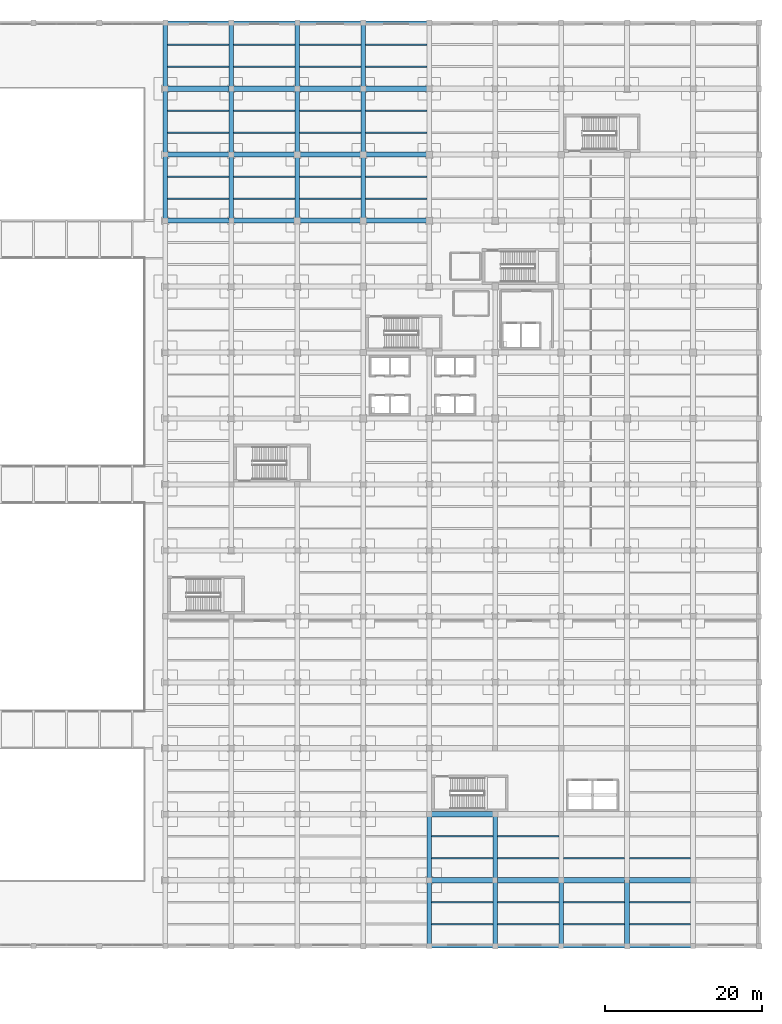
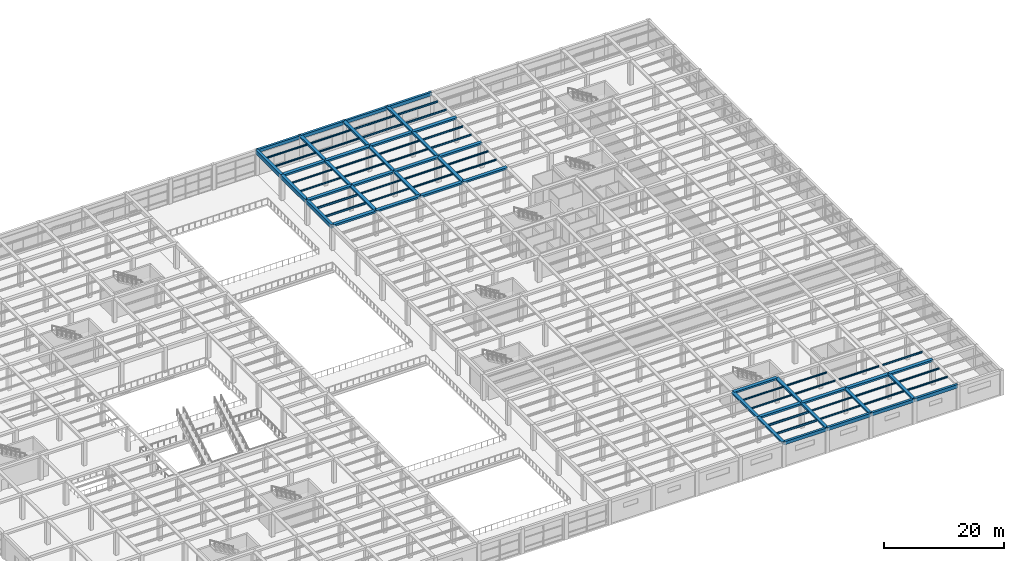
# One storey, part 29 of 65: 81 beams.
"""IFC4 building model written with IfcOpenShell, lengths in metres."""

from ifc_helpers import new_model, si_unit, direction, frame, origin, origin_2d, place, context, subcontext, project, spatial, rectangle, i_section, extrude, material, material_profile, profile_set, type_object, element, save


model = new_model("IFC4")

# Units and contexts
model_context = context("Model", 3, precision=1e-05, world=origin(), true_north=direction((0.0, 1.0)))
body_context = subcontext(model_context, "Body", "Model", "MODEL_VIEW")
ifc_project = project(units=[si_unit("LENGTHUNIT", "METRE"), si_unit("AREAUNIT", "SQUARE_METRE"), si_unit("VOLUMEUNIT", "CUBIC_METRE"), si_unit("PLANEANGLEUNIT", "RADIAN"), si_unit("MASSUNIT", "GRAM", prefix="KILO")], contexts=[model_context])

# Site, building, storey
site_placement = place(None, origin())
site = spatial("IfcSite", under=ifc_project, at=site_placement, CompositionType="ELEMENT")
building_placement = place(site_placement, origin())
building = spatial("IfcBuilding", under=site, at=building_placement, Name="Almacenes y Pasaje Nevantli", CompositionType="ELEMENT")
storey_placement = place(building_placement, frame((0.0, 0.0, 16.800048828125)))
storey = spatial("IfcBuildingStorey", under=building, at=storey_placement, Name="L04", CompositionType="ELEMENT", Elevation=16.800048828125)

# Beams
ifc_material_1 = material(Name="Concrete C35/45", Category="concrete")
ifc_material_profile_1 = material_profile(ifc_material_1, rectangle(XDim=0.449951171875, YDim=0.64990234375, at=origin_2d()), Name="RC-BM-450x650")
ifc_profile_set_1 = profile_set([ifc_material_profile_1], Name="Concrete C35/45")
beam_type_1 = type_object("IfcBeamType", Name="BM-RC-450x650", PredefinedType="SPANDREL", material=ifc_profile_set_1)
for number, where, z_axis, x_axis, name in (
    (1, (126.0, 0.0, 4.77490234375), (1.0, 0.0, 0.0), (0.0, 1.0, 0.0), "L04 East-West Reinforced Concrete Beam #2762"),
    (2, (142.800048828125, 0.0, 4.77490234375), (1.0, 0.0, 0.0), (0.0, 1.0, 0.0), "L04 East-West Reinforced Concrete Beam #2764"),
):
    element("IfcBeam", number, at=place(storey_placement, frame(where, z_axis=z_axis, x_axis=x_axis)), inside=storey, type_object=beam_type_1, Name=name, PredefinedType="SPANDREL", context=body_context, shape_type="SweptSolid", body=[
        extrude(rectangle(XDim=0.449951171875, YDim=0.64990234375, at=origin_2d()), origin(), (0.0, 0.0, 1.0), 8.39990234375),
    ])
for number, where, z_axis, x_axis, name in (
    (3, (92.39990234375, 117.60009765625, 4.77490234375), (1.0, 0.0, 0.0), (0.0, 1.0, 0.0), "L04 East-West Reinforced Concrete Beam #2984"),
    (4, (109.199951171875, 117.60009765625, 4.77490234375), (1.0, 0.0, 0.0), (0.0, 1.0, 0.0), "L04 East-West Reinforced Concrete Beam #2986"),
):
    element("IfcBeam", number, at=place(storey_placement, frame(where, z_axis=z_axis, x_axis=x_axis)), inside=storey, type_object=beam_type_1, Name=name, PredefinedType="SPANDREL", context=body_context, shape_type="SweptSolid", body=[
        extrude(rectangle(XDim=0.449951171875, YDim=0.64990234375, at=origin_2d()), origin(), (0.0, 0.0, 1.0), 8.400146484375),
    ])
ifc_material_2 = material(Name="Concrete C35/45", Category="concrete")
ifc_material_profile_2 = material_profile(ifc_material_2, rectangle(XDim=0.449951171875, YDim=0.699951171875, at=origin_2d()), Name="RC-BM-450x700")
ifc_profile_set_2 = profile_set([ifc_material_profile_2], Name="Concrete C35/45")
beam_type_2 = type_object("IfcBeamType", Name="BM-RC-450x700", PredefinedType="SPANDREL", material=ifc_profile_set_2)
for number, where, z_axis, x_axis, name in (
    (5, (134.39990234375, 0.0, 4.75), (1.0, 0.0, 0.0), (0.0, 1.0, 0.0), "L04 East-West Reinforced Concrete Beam #2763"),
    (6, (151.199951171875, 0.0, 4.75), (1.0, 0.0, 0.0), (0.0, 1.0, 0.0), "L04 East-West Reinforced Concrete Beam #2765"),
):
    element("IfcBeam", number, at=place(storey_placement, frame(where, z_axis=z_axis, x_axis=x_axis)), inside=storey, type_object=beam_type_2, Name=name, PredefinedType="SPANDREL", context=body_context, shape_type="SweptSolid", body=[
        extrude(rectangle(XDim=0.449951171875, YDim=0.699951171875, at=origin_2d()), origin(), (0.0, 0.0, 1.0), 8.400146484375),
    ])
for number, where, z_axis, x_axis, name in (
    (7, (100.800048828125, 117.60009765625, 4.75), (1.0, 0.0, 0.0), (0.0, 1.0, 0.0), "L04 East-West Reinforced Concrete Beam #2985"),
    (8, (117.60009765625, 117.60009765625, 4.75), (1.0, 0.0, 0.0), (0.0, 1.0, 0.0), "L04 East-West Reinforced Concrete Beam #2987"),
):
    element("IfcBeam", number, at=place(storey_placement, frame(where, z_axis=z_axis, x_axis=x_axis)), inside=storey, type_object=beam_type_2, Name=name, PredefinedType="SPANDREL", context=body_context, shape_type="SweptSolid", body=[
        extrude(rectangle(XDim=0.449951171875, YDim=0.699951171875, at=origin_2d()), origin(), (0.0, 0.0, 1.0), 8.39990234375),
    ])
ifc_material_3 = material(Name="Concrete C35/45", Category="concrete")
ifc_material_profile_3 = material_profile(ifc_material_3, rectangle(XDim=0.550048828125, YDim=0.800048828125, at=origin_2d()), Name="RC-BM-550x800")
ifc_profile_set_3 = profile_set([ifc_material_profile_3], Name="Concrete C35/45")
beam_type_3 = type_object("IfcBeamType", Name="BM-RC-550x800", PredefinedType="BEAM", material=ifc_profile_set_3)
beam_1_placement = place(storey_placement, frame((92.39990234375, 92.39990234375, 4.699951171875), z_axis=(0.0, 1.0, 0.0), x_axis=(-1.0, 0.0, 0.0)))
element("IfcBeam", 9, at=beam_1_placement, inside=storey, type_object=beam_type_3, Name="L04 North-South Reinforced Concrete Beam #3106", PredefinedType="BEAM", context=body_context, shape_type="SweptSolid", body=[
    extrude(rectangle(XDim=0.550048828125, YDim=0.800048828125, at=origin_2d()), origin(), (0.0, 0.0, 1.0), 8.400146484375),
])
beam_2_placement = place(storey_placement, frame((92.39990234375, 100.800048828125, 4.699951171875), z_axis=(0.0, 1.0, 0.0), x_axis=(-1.0, 0.0, 0.0)))
element("IfcBeam", 10, at=beam_2_placement, inside=storey, type_object=beam_type_3, Name="L04 North-South Reinforced Concrete Beam #3107", PredefinedType="BEAM", context=body_context, shape_type="SweptSolid", body=[
    extrude(rectangle(XDim=0.550048828125, YDim=0.800048828125, at=origin_2d()), origin(), (0.0, 0.0, 1.0), 8.39990234375),
])
beam_3_placement = place(storey_placement, frame((92.39990234375, 109.199951171875, 4.699951171875), z_axis=(0.0, 1.0, 0.0), x_axis=(-1.0, 0.0, 0.0)))
element("IfcBeam", 11, at=beam_3_placement, inside=storey, type_object=beam_type_3, Name="L04 North-South Reinforced Concrete Beam #3108", PredefinedType="BEAM", context=body_context, shape_type="SweptSolid", body=[
    extrude(rectangle(XDim=0.550048828125, YDim=0.800048828125, at=origin_2d()), origin(), (0.0, 0.0, 1.0), 8.400146484375),
])
ifc_material_4 = material(Name="Concrete C35/45", Category="concrete")
ifc_material_profile_4 = material_profile(ifc_material_4, rectangle(XDim=0.60009765625, YDim=0.320068359375, at=origin_2d()), Name="RC-BM-600x320")
ifc_profile_set_4 = profile_set([ifc_material_profile_4], Name="Concrete C35/45")
beam_type_4 = type_object("IfcBeamType", Name="BM-RC-600x320", PredefinedType="BEAM", material=ifc_profile_set_4)
for number, where, z_axis, x_axis, name in (
    (12, (100.800048828125, 92.39990234375, 4.93994140625), (0.0, 1.0, 0.0), (-1.0, 0.0, 0.0), "L04 North-South Reinforced Concrete Beam #3119"),
    (13, (100.800048828125, 109.199951171875, 4.93994140625), (0.0, 1.0, 0.0), (-1.0, 0.0, 0.0), "L04 North-South Reinforced Concrete Beam #3121"),
):
    element("IfcBeam", number, at=place(storey_placement, frame(where, z_axis=z_axis, x_axis=x_axis)), inside=storey, type_object=beam_type_4, Name=name, PredefinedType="BEAM", context=body_context, shape_type="SweptSolid", body=[
        extrude(rectangle(XDim=0.60009765625, YDim=0.320068359375, at=origin_2d()), origin(), (0.0, 0.0, 1.0), 8.400146484375),
    ])
beam_4_placement = place(storey_placement, frame((109.199951171875, 100.800048828125, 4.93994140625), z_axis=(0.0, 1.0, 0.0), x_axis=(-1.0, 0.0, 0.0)))
element("IfcBeam", 14, at=beam_4_placement, inside=storey, type_object=beam_type_4, Name="L04 North-South Reinforced Concrete Beam #3133", PredefinedType="BEAM", context=body_context, shape_type="SweptSolid", body=[
    extrude(rectangle(XDim=0.60009765625, YDim=0.320068359375, at=origin_2d()), origin(), (0.0, 0.0, 1.0), 8.39990234375),
])
for number, where, z_axis, x_axis, name in (
    (15, (117.60009765625, 92.39990234375, 4.93994140625), (0.0, 1.0, 0.0), (-1.0, 0.0, 0.0), "L04 North-South Reinforced Concrete Beam #3146"),
    (16, (117.60009765625, 109.199951171875, 4.93994140625), (0.0, 1.0, 0.0), (-1.0, 0.0, 0.0), "L04 North-South Reinforced Concrete Beam #3148"),
):
    element("IfcBeam", number, at=place(storey_placement, frame(where, z_axis=z_axis, x_axis=x_axis)), inside=storey, type_object=beam_type_4, Name=name, PredefinedType="BEAM", context=body_context, shape_type="SweptSolid", body=[
        extrude(rectangle(XDim=0.60009765625, YDim=0.320068359375, at=origin_2d()), origin(), (0.0, 0.0, 1.0), 8.400146484375),
    ])
beam_5_placement = place(storey_placement, frame((126.0, 0.0, 4.93994140625), z_axis=(0.0, 1.0, 0.0), x_axis=(-1.0, 0.0, 0.0)))
element("IfcBeam", 17, at=beam_5_placement, inside=storey, type_object=beam_type_4, Name="L04 North-South Reinforced Concrete Beam #3149", PredefinedType="BEAM", context=body_context, shape_type="SweptSolid", body=[
    extrude(rectangle(XDim=0.60009765625, YDim=0.320068359375, at=origin_2d()), origin(), (0.0, 0.0, 1.0), 8.39990234375),
])
beam_6_placement = place(storey_placement, frame((134.39990234375, 8.39990234375, 4.93994140625), z_axis=(0.0, 1.0, 0.0), x_axis=(-1.0, 0.0, 0.0)))
element("IfcBeam", 18, at=beam_6_placement, inside=storey, type_object=beam_type_4, Name="L04 North-South Reinforced Concrete Beam #3163", PredefinedType="BEAM", context=body_context, shape_type="SweptSolid", body=[
    extrude(rectangle(XDim=0.60009765625, YDim=0.320068359375, at=origin_2d()), origin(), (0.0, 0.0, 1.0), 8.400146484375),
])
beam_7_placement = place(storey_placement, frame((142.800048828125, 0.0, 4.93994140625), z_axis=(0.0, 1.0, 0.0), x_axis=(-1.0, 0.0, 0.0)))
element("IfcBeam", 19, at=beam_7_placement, inside=storey, type_object=beam_type_4, Name="L04 North-South Reinforced Concrete Beam #3174", PredefinedType="BEAM", context=body_context, shape_type="SweptSolid", body=[
    extrude(rectangle(XDim=0.60009765625, YDim=0.320068359375, at=origin_2d()), origin(), (0.0, 0.0, 1.0), 8.39990234375),
])
ifc_material_5 = material(Name="Concrete C35/45", Category="concrete")
ifc_material_profile_5 = material_profile(ifc_material_5, rectangle(XDim=0.60009765625, YDim=0.340087890625, at=origin_2d()), Name="RC-BM-600x340")
ifc_profile_set_5 = profile_set([ifc_material_profile_5], Name="Concrete C35/45")
beam_type_5 = type_object("IfcBeamType", Name="BM-RC-600x340", PredefinedType="BEAM", material=ifc_profile_set_5)
beam_8_placement = place(storey_placement, frame((100.800048828125, 100.800048828125, 4.929931640625), z_axis=(0.0, 1.0, 0.0), x_axis=(-1.0, 0.0, 0.0)))
element("IfcBeam", 20, at=beam_8_placement, inside=storey, type_object=beam_type_5, Name="L04 North-South Reinforced Concrete Beam #3120", PredefinedType="BEAM", context=body_context, shape_type="SweptSolid", body=[
    extrude(rectangle(XDim=0.60009765625, YDim=0.340087890625, at=origin_2d()), origin(), (0.0, 0.0, 1.0), 8.39990234375),
])
for number, where, z_axis, x_axis, name in (
    (21, (109.199951171875, 92.39990234375, 4.929931640625), (0.0, 1.0, 0.0), (-1.0, 0.0, 0.0), "L04 North-South Reinforced Concrete Beam #3132"),
    (22, (109.199951171875, 109.199951171875, 4.929931640625), (0.0, 1.0, 0.0), (-1.0, 0.0, 0.0), "L04 North-South Reinforced Concrete Beam #3134"),
):
    element("IfcBeam", number, at=place(storey_placement, frame(where, z_axis=z_axis, x_axis=x_axis)), inside=storey, type_object=beam_type_5, Name=name, PredefinedType="BEAM", context=body_context, shape_type="SweptSolid", body=[
        extrude(rectangle(XDim=0.60009765625, YDim=0.340087890625, at=origin_2d()), origin(), (0.0, 0.0, 1.0), 8.400146484375),
    ])
beam_9_placement = place(storey_placement, frame((117.60009765625, 100.800048828125, 4.929931640625), z_axis=(0.0, 1.0, 0.0), x_axis=(-1.0, 0.0, 0.0)))
element("IfcBeam", 23, at=beam_9_placement, inside=storey, type_object=beam_type_5, Name="L04 North-South Reinforced Concrete Beam #3147", PredefinedType="BEAM", context=body_context, shape_type="SweptSolid", body=[
    extrude(rectangle(XDim=0.60009765625, YDim=0.340087890625, at=origin_2d()), origin(), (0.0, 0.0, 1.0), 8.39990234375),
])
beam_10_placement = place(storey_placement, frame((126.0, 8.39990234375, 4.929931640625), z_axis=(0.0, 1.0, 0.0), x_axis=(-1.0, 0.0, 0.0)))
element("IfcBeam", 24, at=beam_10_placement, inside=storey, type_object=beam_type_5, Name="L04 North-South Reinforced Concrete Beam #3150", PredefinedType="BEAM", context=body_context, shape_type="SweptSolid", body=[
    extrude(rectangle(XDim=0.60009765625, YDim=0.340087890625, at=origin_2d()), origin(), (0.0, 0.0, 1.0), 8.400146484375),
])
for number, where, z_axis, x_axis, name in (
    (25, (134.39990234375, 0.0, 4.929931640625), (0.0, 1.0, 0.0), (-1.0, 0.0, 0.0), "L04 North-South Reinforced Concrete Beam #3162"),
    (26, (151.199951171875, 0.0, 4.929931640625), (0.0, 1.0, 0.0), (-1.0, 0.0, 0.0), "L04 North-South Reinforced Concrete Beam #3188"),
):
    element("IfcBeam", number, at=place(storey_placement, frame(where, z_axis=z_axis, x_axis=x_axis)), inside=storey, type_object=beam_type_5, Name=name, PredefinedType="BEAM", context=body_context, shape_type="SweptSolid", body=[
        extrude(rectangle(XDim=0.60009765625, YDim=0.340087890625, at=origin_2d()), origin(), (0.0, 0.0, 1.0), 8.39990234375),
    ])
ifc_material_6 = material(Name="Concrete C35/45", Category="concrete")
ifc_material_profile_6 = material_profile(ifc_material_6, rectangle(XDim=0.64990234375, YDim=0.35009765625, at=origin_2d()), Name="RC-BM-650x350")
ifc_profile_set_6 = profile_set([ifc_material_profile_6], Name="Concrete C35/45")
beam_type_6 = type_object("IfcBeamType", Name="BM-RC-650x350", PredefinedType="BEAM", material=ifc_profile_set_6)
for number, where, z_axis, x_axis, name in (
    (27, (134.39990234375, 8.39990234375, 4.925048828125), (1.0, 0.0, 0.0), (0.0, 1.0, 0.0), "L04 East-West Reinforced Concrete Beam #2777"),
    (28, (151.199951171875, 8.39990234375, 4.925048828125), (1.0, 0.0, 0.0), (0.0, 1.0, 0.0), "L04 East-West Reinforced Concrete Beam #2779"),
):
    element("IfcBeam", number, at=place(storey_placement, frame(where, z_axis=z_axis, x_axis=x_axis)), inside=storey, type_object=beam_type_6, Name=name, PredefinedType="BEAM", context=body_context, shape_type="SweptSolid", body=[
        extrude(rectangle(XDim=0.64990234375, YDim=0.35009765625, at=origin_2d()), origin(), (0.0, 0.0, 1.0), 8.400146484375),
    ])
for number, where, z_axis, x_axis, name in (
    (29, (126.0, 16.800048828125, 4.925048828125), (1.0, 0.0, 0.0), (0.0, 1.0, 0.0), "L04 East-West Reinforced Concrete Beam #2790"),
    (30, (100.800048828125, 92.39990234375, 4.925048828125), (1.0, 0.0, 0.0), (0.0, 1.0, 0.0), "L04 East-West Reinforced Concrete Beam #2931"),
    (31, (117.60009765625, 92.39990234375, 4.925048828125), (1.0, 0.0, 0.0), (0.0, 1.0, 0.0), "L04 East-West Reinforced Concrete Beam #2933"),
):
    element("IfcBeam", number, at=place(storey_placement, frame(where, z_axis=z_axis, x_axis=x_axis)), inside=storey, type_object=beam_type_6, Name=name, PredefinedType="BEAM", context=body_context, shape_type="SweptSolid", body=[
        extrude(rectangle(XDim=0.64990234375, YDim=0.35009765625, at=origin_2d()), origin(), (0.0, 0.0, 1.0), 8.39990234375),
    ])
for number, where, z_axis, x_axis, name in (
    (32, (92.39990234375, 100.800048828125, 4.925048828125), (1.0, 0.0, 0.0), (0.0, 1.0, 0.0), "L04 East-West Reinforced Concrete Beam #2947"),
    (33, (109.199951171875, 100.800048828125, 4.925048828125), (1.0, 0.0, 0.0), (0.0, 1.0, 0.0), "L04 East-West Reinforced Concrete Beam #2949"),
):
    element("IfcBeam", number, at=place(storey_placement, frame(where, z_axis=z_axis, x_axis=x_axis)), inside=storey, type_object=beam_type_6, Name=name, PredefinedType="BEAM", context=body_context, shape_type="SweptSolid", body=[
        extrude(rectangle(XDim=0.64990234375, YDim=0.35009765625, at=origin_2d()), origin(), (0.0, 0.0, 1.0), 8.400146484375),
    ])
for number, where, z_axis, x_axis, name in (
    (34, (100.800048828125, 109.199951171875, 4.925048828125), (1.0, 0.0, 0.0), (0.0, 1.0, 0.0), "L04 East-West Reinforced Concrete Beam #2965"),
    (35, (117.60009765625, 109.199951171875, 4.925048828125), (1.0, 0.0, 0.0), (0.0, 1.0, 0.0), "L04 East-West Reinforced Concrete Beam #2967"),
):
    element("IfcBeam", number, at=place(storey_placement, frame(where, z_axis=z_axis, x_axis=x_axis)), inside=storey, type_object=beam_type_6, Name=name, PredefinedType="BEAM", context=body_context, shape_type="SweptSolid", body=[
        extrude(rectangle(XDim=0.64990234375, YDim=0.35009765625, at=origin_2d()), origin(), (0.0, 0.0, 1.0), 8.39990234375),
    ])
ifc_material_7 = material(Name="Concrete C35/45", Category="concrete")
ifc_material_profile_7 = material_profile(ifc_material_7, rectangle(XDim=0.64990234375, YDim=0.3798828125, at=origin_2d()), Name="RC-BM-650x380")
ifc_profile_set_7 = profile_set([ifc_material_profile_7], Name="Concrete C35/45")
beam_type_7 = type_object("IfcBeamType", Name="BM-RC-650x380", PredefinedType="BEAM", material=ifc_profile_set_7)
for number, where, z_axis, x_axis, name in (
    (36, (126.0, 8.39990234375, 4.909912109375), (1.0, 0.0, 0.0), (0.0, 1.0, 0.0), "L04 East-West Reinforced Concrete Beam #2776"),
    (37, (142.800048828125, 8.39990234375, 4.909912109375), (1.0, 0.0, 0.0), (0.0, 1.0, 0.0), "L04 East-West Reinforced Concrete Beam #2778"),
):
    element("IfcBeam", number, at=place(storey_placement, frame(where, z_axis=z_axis, x_axis=x_axis)), inside=storey, type_object=beam_type_7, Name=name, PredefinedType="BEAM", context=body_context, shape_type="SweptSolid", body=[
        extrude(rectangle(XDim=0.64990234375, YDim=0.3798828125, at=origin_2d()), origin(), (0.0, 0.0, 1.0), 8.39990234375),
    ])
for number, where, z_axis, x_axis, name in (
    (38, (92.39990234375, 92.39990234375, 4.909912109375), (1.0, 0.0, 0.0), (0.0, 1.0, 0.0), "L04 East-West Reinforced Concrete Beam #2930"),
    (39, (109.199951171875, 92.39990234375, 4.909912109375), (1.0, 0.0, 0.0), (0.0, 1.0, 0.0), "L04 East-West Reinforced Concrete Beam #2932"),
):
    element("IfcBeam", number, at=place(storey_placement, frame(where, z_axis=z_axis, x_axis=x_axis)), inside=storey, type_object=beam_type_7, Name=name, PredefinedType="BEAM", context=body_context, shape_type="SweptSolid", body=[
        extrude(rectangle(XDim=0.64990234375, YDim=0.3798828125, at=origin_2d()), origin(), (0.0, 0.0, 1.0), 8.400146484375),
    ])
for number, where, z_axis, x_axis, name in (
    (40, (100.800048828125, 100.800048828125, 4.909912109375), (1.0, 0.0, 0.0), (0.0, 1.0, 0.0), "L04 East-West Reinforced Concrete Beam #2948"),
    (41, (117.60009765625, 100.800048828125, 4.909912109375), (1.0, 0.0, 0.0), (0.0, 1.0, 0.0), "L04 East-West Reinforced Concrete Beam #2950"),
):
    element("IfcBeam", number, at=place(storey_placement, frame(where, z_axis=z_axis, x_axis=x_axis)), inside=storey, type_object=beam_type_7, Name=name, PredefinedType="BEAM", context=body_context, shape_type="SweptSolid", body=[
        extrude(rectangle(XDim=0.64990234375, YDim=0.3798828125, at=origin_2d()), origin(), (0.0, 0.0, 1.0), 8.39990234375),
    ])
for number, where, z_axis, x_axis, name in (
    (42, (92.39990234375, 109.199951171875, 4.909912109375), (1.0, 0.0, 0.0), (0.0, 1.0, 0.0), "L04 East-West Reinforced Concrete Beam #2964"),
    (43, (109.199951171875, 109.199951171875, 4.909912109375), (1.0, 0.0, 0.0), (0.0, 1.0, 0.0), "L04 East-West Reinforced Concrete Beam #2966"),
):
    element("IfcBeam", number, at=place(storey_placement, frame(where, z_axis=z_axis, x_axis=x_axis)), inside=storey, type_object=beam_type_7, Name=name, PredefinedType="BEAM", context=body_context, shape_type="SweptSolid", body=[
        extrude(rectangle(XDim=0.64990234375, YDim=0.3798828125, at=origin_2d()), origin(), (0.0, 0.0, 1.0), 8.400146484375),
    ])
ifc_material_8 = material(Name="Steel ASTM A992", Category="steel")
ifc_material_profile_8 = material_profile(ifc_material_8, i_section(OverallWidth=0.1650390625, OverallDepth=0.306884765625, WebThickness=0.006591796875, FlangeThickness=0.01025390625, at=origin_2d()), Name="IR 305x44.6")
ifc_profile_set_8 = profile_set([ifc_material_profile_8], Name="Steel ASTM A992")
beam_type_8 = type_object("IfcBeamType", Name="BM-STL-IR-305x44p6", PredefinedType="JOIST", material=ifc_profile_set_8)
for number, where, z_axis, x_axis, name in (
    (44, (92.675048828125, 103.60009765625, 4.9384765625), (1.0, 0.0, 0.0), (0.0, 1.0, 0.0), "L04 Secondary Steel Floor Joist #1155"),
    (45, (92.675048828125, 106.39990234375, 4.9384765625), (1.0, 0.0, 0.0), (0.0, 1.0, 0.0), "L04 Secondary Steel Floor Joist #1156"),
):
    element("IfcBeam", number, at=place(storey_placement, frame(where, z_axis=z_axis, x_axis=x_axis)), inside=storey, type_object=beam_type_8, Name=name, PredefinedType="JOIST", context=body_context, shape_type="SweptSolid", body=[
        extrude(i_section(OverallWidth=0.1650390625, OverallDepth=0.306884765625, WebThickness=0.006591796875, FlangeThickness=0.01025390625, at=origin_2d()), origin(), (0.0, 0.0, 1.0), 7.824951171875),
    ])
for number, where, z_axis, x_axis, name in (
    (46, (101.10009765625, 95.199951171875, 4.9384765625), (1.0, 0.0, 0.0), (0.0, 1.0, 0.0), "L04 Secondary Steel Floor Joist #1177"),
    (47, (101.10009765625, 98.0, 4.9384765625), (1.0, 0.0, 0.0), (0.0, 1.0, 0.0), "L04 Secondary Steel Floor Joist #1178"),
):
    element("IfcBeam", number, at=place(storey_placement, frame(where, z_axis=z_axis, x_axis=x_axis)), inside=storey, type_object=beam_type_8, Name=name, PredefinedType="JOIST", context=body_context, shape_type="SweptSolid", body=[
        extrude(i_section(OverallWidth=0.1650390625, OverallDepth=0.306884765625, WebThickness=0.006591796875, FlangeThickness=0.01025390625, at=origin_2d()), origin(), (0.0, 0.0, 1.0), 7.7998046875),
    ])
for number, where, z_axis, x_axis, name in (
    (48, (126.300048828125, 11.199951171875, 4.9384765625), (1.0, 0.0, 0.0), (0.0, 1.0, 0.0), "L04 Secondary Steel Floor Joist #1235"),
    (49, (126.300048828125, 14.0, 4.9384765625), (1.0, 0.0, 0.0), (0.0, 1.0, 0.0), "L04 Secondary Steel Floor Joist #1236"),
    (50, (134.699951171875, 2.800048828125, 4.9384765625), (1.0, 0.0, 0.0), (0.0, 1.0, 0.0), "L04 Secondary Steel Floor Joist #1253"),
    (51, (134.699951171875, 5.60009765625, 4.9384765625), (1.0, 0.0, 0.0), (0.0, 1.0, 0.0), "L04 Secondary Steel Floor Joist #1254"),
):
    element("IfcBeam", number, at=place(storey_placement, frame(where, z_axis=z_axis, x_axis=x_axis)), inside=storey, type_object=beam_type_8, Name=name, PredefinedType="JOIST", context=body_context, shape_type="SweptSolid", body=[
        extrude(i_section(OverallWidth=0.1650390625, OverallDepth=0.306884765625, WebThickness=0.006591796875, FlangeThickness=0.01025390625, at=origin_2d()), origin(), (0.0, 0.0, 1.0), 7.800048828125),
    ])
ifc_material_9 = material(Name="Steel ASTM A992", Category="steel")
ifc_material_profile_9 = material_profile(ifc_material_9, i_section(OverallWidth=0.202880859375, OverallDepth=0.304931640625, WebThickness=0.007568359375, FlangeThickness=0.01318359375, at=origin_2d()), Name="IR 305x59.5")
ifc_profile_set_9 = profile_set([ifc_material_profile_9], Name="Steel ASTM A992")
beam_type_9 = type_object("IfcBeamType", Name="BM-STL-IR-305x59p5", PredefinedType="JOIST", material=ifc_profile_set_9)
for number, where, z_axis, x_axis, name in (
    (52, (92.675048828125, 112.0, 4.939453125), (1.0, 0.0, 0.0), (0.0, 1.0, 0.0), "L04 Secondary Steel Floor Joist #1157"),
    (53, (92.675048828125, 114.800048828125, 4.939453125), (1.0, 0.0, 0.0), (0.0, 1.0, 0.0), "L04 Secondary Steel Floor Joist #1158"),
):
    element("IfcBeam", number, at=place(storey_placement, frame(where, z_axis=z_axis, x_axis=x_axis)), inside=storey, type_object=beam_type_9, Name=name, PredefinedType="JOIST", context=body_context, shape_type="SweptSolid", body=[
        extrude(i_section(OverallWidth=0.202880859375, OverallDepth=0.304931640625, WebThickness=0.007568359375, FlangeThickness=0.01318359375, at=origin_2d()), origin(), (0.0, 0.0, 1.0), 7.824951171875),
    ])
for number, where, z_axis, x_axis, name in (
    (54, (101.10009765625, 103.60009765625, 4.939453125), (1.0, 0.0, 0.0), (0.0, 1.0, 0.0), "L04 Secondary Steel Floor Joist #1179"),
    (55, (101.10009765625, 106.39990234375, 4.939453125), (1.0, 0.0, 0.0), (0.0, 1.0, 0.0), "L04 Secondary Steel Floor Joist #1180"),
):
    element("IfcBeam", number, at=place(storey_placement, frame(where, z_axis=z_axis, x_axis=x_axis)), inside=storey, type_object=beam_type_9, Name=name, PredefinedType="JOIST", context=body_context, shape_type="SweptSolid", body=[
        extrude(i_section(OverallWidth=0.202880859375, OverallDepth=0.304931640625, WebThickness=0.007568359375, FlangeThickness=0.01318359375, at=origin_2d()), origin(), (0.0, 0.0, 1.0), 7.7998046875),
    ])
for number, where, z_axis, x_axis, name in (
    (56, (109.5, 95.199951171875, 4.939453125), (1.0, 0.0, 0.0), (0.0, 1.0, 0.0), "L04 Secondary Steel Floor Joist #1203"),
    (57, (109.5, 98.0, 4.939453125), (1.0, 0.0, 0.0), (0.0, 1.0, 0.0), "L04 Secondary Steel Floor Joist #1204"),
    (58, (134.699951171875, 11.199951171875, 4.939453125), (1.0, 0.0, 0.0), (0.0, 1.0, 0.0), "L04 Secondary Steel Floor Joist #1255"),
    (59, (134.699951171875, 14.0, 4.939453125), (1.0, 0.0, 0.0), (0.0, 1.0, 0.0), "L04 Secondary Steel Floor Joist #1256"),
):
    element("IfcBeam", number, at=place(storey_placement, frame(where, z_axis=z_axis, x_axis=x_axis)), inside=storey, type_object=beam_type_9, Name=name, PredefinedType="JOIST", context=body_context, shape_type="SweptSolid", body=[
        extrude(i_section(OverallWidth=0.202880859375, OverallDepth=0.304931640625, WebThickness=0.007568359375, FlangeThickness=0.01318359375, at=origin_2d()), origin(), (0.0, 0.0, 1.0), 7.800048828125),
    ])
for number, where, z_axis, x_axis, name in (
    (60, (143.10009765625, 2.800048828125, 4.939453125), (1.0, 0.0, 0.0), (0.0, 1.0, 0.0), "L04 Secondary Steel Floor Joist #1275"),
    (61, (143.10009765625, 5.60009765625, 4.939453125), (1.0, 0.0, 0.0), (0.0, 1.0, 0.0), "L04 Secondary Steel Floor Joist #1276"),
):
    element("IfcBeam", number, at=place(storey_placement, frame(where, z_axis=z_axis, x_axis=x_axis)), inside=storey, type_object=beam_type_9, Name=name, PredefinedType="JOIST", context=body_context, shape_type="SweptSolid", body=[
        extrude(i_section(OverallWidth=0.202880859375, OverallDepth=0.304931640625, WebThickness=0.007568359375, FlangeThickness=0.01318359375, at=origin_2d()), origin(), (0.0, 0.0, 1.0), 7.7998046875),
    ])
ifc_material_10 = material(Name="Steel ASTM A992", Category="steel")
ifc_material_profile_10 = material_profile(ifc_material_10, i_section(OverallWidth=0.205078125, OverallDepth=0.31005859375, WebThickness=0.009521484375, FlangeThickness=0.016357421875, at=origin_2d()), Name="IR 305x74.4")
ifc_profile_set_10 = profile_set([ifc_material_profile_10], Name="Steel ASTM A992")
beam_type_10 = type_object("IfcBeamType", Name="BM-STL-IR-305x74p4", PredefinedType="JOIST", material=ifc_profile_set_10)
for number, where, z_axis, x_axis, name in (
    (62, (101.10009765625, 112.0, 4.93701171875), (1.0, 0.0, 0.0), (0.0, 1.0, 0.0), "L04 Secondary Steel Floor Joist #1181"),
    (63, (101.10009765625, 114.800048828125, 4.93701171875), (1.0, 0.0, 0.0), (0.0, 1.0, 0.0), "L04 Secondary Steel Floor Joist #1182"),
):
    element("IfcBeam", number, at=place(storey_placement, frame(where, z_axis=z_axis, x_axis=x_axis)), inside=storey, type_object=beam_type_10, Name=name, PredefinedType="JOIST", context=body_context, shape_type="SweptSolid", body=[
        extrude(i_section(OverallWidth=0.205078125, OverallDepth=0.31005859375, WebThickness=0.009521484375, FlangeThickness=0.016357421875, at=origin_2d()), origin(), (0.0, 0.0, 1.0), 7.7998046875),
    ])
for number, where, z_axis, x_axis, name in (
    (64, (109.5, 103.60009765625, 4.93701171875), (1.0, 0.0, 0.0), (0.0, 1.0, 0.0), "L04 Secondary Steel Floor Joist #1205"),
    (65, (109.5, 106.39990234375, 4.93701171875), (1.0, 0.0, 0.0), (0.0, 1.0, 0.0), "L04 Secondary Steel Floor Joist #1206"),
    (66, (117.89990234375, 95.199951171875, 4.93701171875), (1.0, 0.0, 0.0), (0.0, 1.0, 0.0), "L04 Secondary Steel Floor Joist #1227"),
    (67, (117.89990234375, 98.0, 4.93701171875), (1.0, 0.0, 0.0), (0.0, 1.0, 0.0), "L04 Secondary Steel Floor Joist #1228"),
):
    element("IfcBeam", number, at=place(storey_placement, frame(where, z_axis=z_axis, x_axis=x_axis)), inside=storey, type_object=beam_type_10, Name=name, PredefinedType="JOIST", context=body_context, shape_type="SweptSolid", body=[
        extrude(i_section(OverallWidth=0.205078125, OverallDepth=0.31005859375, WebThickness=0.009521484375, FlangeThickness=0.016357421875, at=origin_2d()), origin(), (0.0, 0.0, 1.0), 7.800048828125),
    ])
beam_11_placement = place(storey_placement, frame((143.10009765625, 11.199951171875, 4.93701171875), z_axis=(1.0, 0.0, 0.0), x_axis=(0.0, 1.0, 0.0)))
element("IfcBeam", 68, at=beam_11_placement, inside=storey, type_object=beam_type_10, Name="L04 Secondary Steel Floor Joist #1277", PredefinedType="JOIST", context=body_context, shape_type="SweptSolid", body=[
    extrude(i_section(OverallWidth=0.205078125, OverallDepth=0.31005859375, WebThickness=0.009521484375, FlangeThickness=0.016357421875, at=origin_2d()), origin(), (0.0, 0.0, 1.0), 7.7998046875),
])
for number, where, z_axis, x_axis, name in (
    (69, (151.5, 2.800048828125, 4.93701171875), (1.0, 0.0, 0.0), (0.0, 1.0, 0.0), "L04 Secondary Steel Floor Joist #1299"),
    (70, (151.5, 5.60009765625, 4.93701171875), (1.0, 0.0, 0.0), (0.0, 1.0, 0.0), "L04 Secondary Steel Floor Joist #1300"),
):
    element("IfcBeam", number, at=place(storey_placement, frame(where, z_axis=z_axis, x_axis=x_axis)), inside=storey, type_object=beam_type_10, Name=name, PredefinedType="JOIST", context=body_context, shape_type="SweptSolid", body=[
        extrude(i_section(OverallWidth=0.205078125, OverallDepth=0.31005859375, WebThickness=0.009521484375, FlangeThickness=0.016357421875, at=origin_2d()), origin(), (0.0, 0.0, 1.0), 7.800048828125),
    ])
ifc_material_11 = material(Name="Steel ASTM A992", Category="steel")
ifc_material_profile_11 = material_profile(ifc_material_11, i_section(OverallWidth=0.173095703125, OverallDepth=0.35302734375, WebThickness=0.0078125, FlangeThickness=0.01318359375, at=origin_2d()), Name="IR 356x56.6")
ifc_profile_set_11 = profile_set([ifc_material_profile_11], Name="Steel ASTM A992")
beam_type_11 = type_object("IfcBeamType", Name="BM-STL-IR-356x56p6", PredefinedType="JOIST", material=ifc_profile_set_11)
for number, where, z_axis, x_axis, name in (
    (71, (109.5, 112.0, 4.91552734375), (1.0, 0.0, 0.0), (0.0, 1.0, 0.0), "L04 Secondary Steel Floor Joist #1207"),
    (72, (109.5, 114.800048828125, 4.91552734375), (1.0, 0.0, 0.0), (0.0, 1.0, 0.0), "L04 Secondary Steel Floor Joist #1208"),
    (73, (117.89990234375, 103.60009765625, 4.91552734375), (1.0, 0.0, 0.0), (0.0, 1.0, 0.0), "L04 Secondary Steel Floor Joist #1229"),
    (74, (117.89990234375, 106.39990234375, 4.91552734375), (1.0, 0.0, 0.0), (0.0, 1.0, 0.0), "L04 Secondary Steel Floor Joist #1230"),
    (75, (151.5, 11.199951171875, 4.91552734375), (1.0, 0.0, 0.0), (0.0, 1.0, 0.0), "L04 Secondary Steel Floor Joist #1301"),
):
    element("IfcBeam", number, at=place(storey_placement, frame(where, z_axis=z_axis, x_axis=x_axis)), inside=storey, type_object=beam_type_11, Name=name, PredefinedType="JOIST", context=body_context, shape_type="SweptSolid", body=[
        extrude(i_section(OverallWidth=0.173095703125, OverallDepth=0.35302734375, WebThickness=0.0078125, FlangeThickness=0.01318359375, at=origin_2d()), origin(), (0.0, 0.0, 1.0), 7.800048828125),
    ])
ifc_material_12 = material(Name="Steel ASTM A992", Category="steel")
ifc_material_profile_12 = material_profile(ifc_material_12, i_section(OverallWidth=0.173095703125, OverallDepth=0.364013671875, WebThickness=0.009033203125, FlangeThickness=0.015625, at=origin_2d()), Name="IR 356x67.0")
ifc_profile_set_12 = profile_set([ifc_material_profile_12], Name="Steel ASTM A992")
beam_type_12 = type_object("IfcBeamType", Name="BM-STL-IR-356x67p0", PredefinedType="JOIST", material=ifc_profile_set_12)
for number, where, z_axis, x_axis, name in (
    (76, (117.89990234375, 112.0, 4.909912109375), (1.0, 0.0, 0.0), (0.0, 1.0, 0.0), "L04 Secondary Steel Floor Joist #1231"),
    (77, (117.89990234375, 114.800048828125, 4.909912109375), (1.0, 0.0, 0.0), (0.0, 1.0, 0.0), "L04 Secondary Steel Floor Joist #1232"),
):
    element("IfcBeam", number, at=place(storey_placement, frame(where, z_axis=z_axis, x_axis=x_axis)), inside=storey, type_object=beam_type_12, Name=name, PredefinedType="JOIST", context=body_context, shape_type="SweptSolid", body=[
        extrude(i_section(OverallWidth=0.173095703125, OverallDepth=0.364013671875, WebThickness=0.009033203125, FlangeThickness=0.015625, at=origin_2d()), origin(), (0.0, 0.0, 1.0), 7.800048828125),
    ])
ifc_material_13 = material(Name="Steel ASTM A992", Category="steel")
ifc_material_profile_13 = material_profile(ifc_material_13, i_section(OverallWidth=0.178955078125, OverallDepth=0.406005859375, WebThickness=0.0087890625, FlangeThickness=0.014404296875, at=origin_2d()), Name="IR 406x67.0")
ifc_profile_set_13 = profile_set([ifc_material_profile_13], Name="Steel ASTM A992")
beam_type_13 = type_object("IfcBeamType", Name="BM-STL-IR-406x67p0", PredefinedType="JOIST", material=ifc_profile_set_13)
for number, where, z_axis, x_axis, name in (
    (78, (92.675048828125, 95.199951171875, 4.888916015625), (1.0, 0.0, 0.0), (0.0, 1.0, 0.0), "L04 Secondary Steel Floor Joist #1153"),
    (79, (92.675048828125, 98.0, 4.888916015625), (1.0, 0.0, 0.0), (0.0, 1.0, 0.0), "L04 Secondary Steel Floor Joist #1154"),
):
    element("IfcBeam", number, at=place(storey_placement, frame(where, z_axis=z_axis, x_axis=x_axis)), inside=storey, type_object=beam_type_13, Name=name, PredefinedType="JOIST", context=body_context, shape_type="SweptSolid", body=[
        extrude(i_section(OverallWidth=0.178955078125, OverallDepth=0.406005859375, WebThickness=0.0087890625, FlangeThickness=0.014404296875, at=origin_2d()), origin(), (0.0, 0.0, 1.0), 7.824951171875),
    ])
for number, where, z_axis, x_axis, name in (
    (80, (126.300048828125, 2.800048828125, 4.888916015625), (1.0, 0.0, 0.0), (0.0, 1.0, 0.0), "L04 Secondary Steel Floor Joist #1233"),
    (81, (126.300048828125, 5.60009765625, 4.888916015625), (1.0, 0.0, 0.0), (0.0, 1.0, 0.0), "L04 Secondary Steel Floor Joist #1234"),
):
    element("IfcBeam", number, at=place(storey_placement, frame(where, z_axis=z_axis, x_axis=x_axis)), inside=storey, type_object=beam_type_13, Name=name, PredefinedType="JOIST", context=body_context, shape_type="SweptSolid", body=[
        extrude(i_section(OverallWidth=0.178955078125, OverallDepth=0.406005859375, WebThickness=0.0087890625, FlangeThickness=0.014404296875, at=origin_2d()), origin(), (0.0, 0.0, 1.0), 7.800048828125),
    ])

save(model, "model.ifc")
